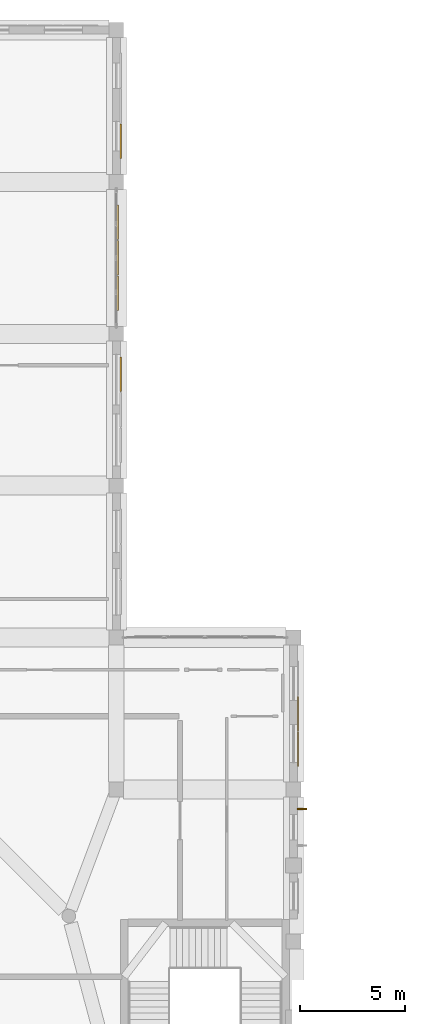
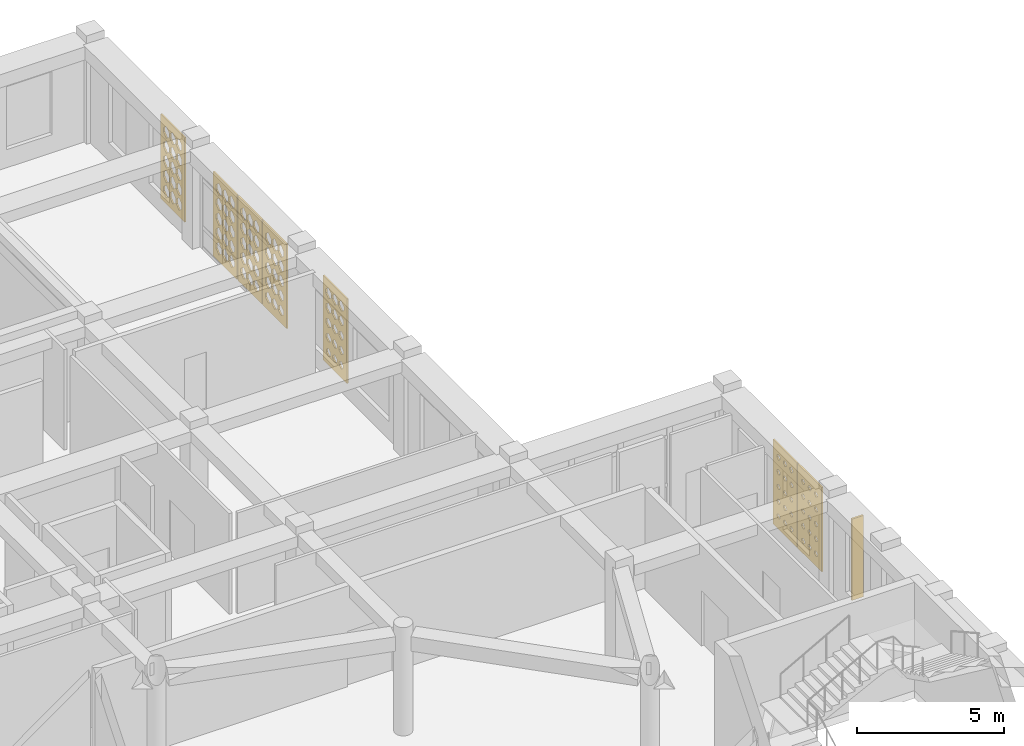
# One storey, part 75 of 79: 7 coverings, 1 shading device.
"""IFC4 building model written with IfcOpenShell, lengths in metres."""

import ifcopenshell
import ifcopenshell.guid

model = None  # the IFC model being written
_history = None  # IfcOwnerHistory: only IFC2X3 demands one
_inside = {}  # id of a spatial element -> (the spatial element, [elements in it])
_under = {}  # id of a project, library or spatial element -> (it, [spatial elements below it])
_declared = {}  # id of a project -> (the project, [libraries it declares])
_typed = {}  # id of a type object -> (the type object, [elements of that type])
_made_of = {}  # id of a material, layer set ... -> (it, [elements and type objects made of it])


def new_model(schema):
    """Start an empty IFC model of exactly this schema.

    Asked for "IFC4X3", IfcOpenShell would pick the latest addendum, in which some entities
    have other attributes; the version numbers below select the first issue.
    IFC2X3 requires an IfcOwnerHistory on every rooted entity: one is made here for all.
    """
    global model, _history
    if schema == "IFC4X3":
        model = ifcopenshell.file(schema_version=(4, 3, 0, 0))
    else:
        model = ifcopenshell.file(schema=schema)
    _inside.clear()
    _under.clear()
    _declared.clear()
    _typed.clear()
    _made_of.clear()
    _history = None
    if model.schema == "IFC2X3":
        org = make("IfcOrganization", Name="unknown")
        user = make(
            "IfcPersonAndOrganization",
            ThePerson=make("IfcPerson", FamilyName="unknown"),
            TheOrganization=org,
        )
        app = make(
            "IfcApplication",
            ApplicationDeveloper=org,
            Version="unknown",
            ApplicationFullName="unknown",
            ApplicationIdentifier="unknown",
        )
        _history = make(
            "IfcOwnerHistory",
            OwningUser=user,
            OwningApplication=app,
            ChangeAction="ADDED",
            CreationDate=0,
        )
    return model


def make(cls, **values):
    """One entity of the class cls with the attributes given. An attribute that is None is left unset."""
    return model.create_entity(
        cls, **{name: value for name, value in values.items() if value is not None}
    )


def rooted(cls, **values):
    """An entity with a GlobalId (a new one), such as an element, a storey or a relation."""
    return make(cls, GlobalId=ifcopenshell.guid.new(), OwnerHistory=_history, **values)


def si_unit(unit_type, name, prefix=None):
    """IfcSIUnit, for example si_unit("LENGTHUNIT", "METRE", prefix="MILLI")."""
    return make("IfcSIUnit", UnitType=unit_type, Prefix=prefix, Name=name)


def derived_unit(unit_type, elements):
    """IfcDerivedUnit: a product of units, each with its exponent."""
    return make(
        "IfcDerivedUnit",
        Elements=[
            make("IfcDerivedUnitElement", Unit=unit, Exponent=power)
            for unit, power in elements
        ],
        UnitType=unit_type,
    )


def assignment(units):
    """IfcUnitAssignment: the units of a project."""
    return None if units is None else make("IfcUnitAssignment", Units=units)


def point(xyz):
    """IfcCartesianPoint."""
    return None if xyz is None else make("IfcCartesianPoint", Coordinates=xyz)


def direction(xyz):
    """IfcDirection."""
    return None if xyz is None else make("IfcDirection", DirectionRatios=xyz)


def frame(location, z_axis=None, x_axis=None):
    """IfcAxis2Placement3D, a coordinate frame: its origin and axes. An axis left out is left unset."""
    return make(
        "IfcAxis2Placement3D",
        Location=point(location),
        Axis=direction(z_axis),
        RefDirection=direction(x_axis),
    )


def frame_2d(location, x_axis=None):
    """IfcAxis2Placement2D, a coordinate frame in the plane: its origin and x axis."""
    return make(
        "IfcAxis2Placement2D", Location=point(location), RefDirection=direction(x_axis)
    )


def origin():
    """The frame at (0, 0, 0) with its axes left unset."""
    return frame((0.0, 0.0, 0.0))


def origin_2d():
    """The frame at (0, 0) in the plane with its x axis left unset."""
    return frame_2d((0.0, 0.0))


def place(relative_to, where):
    """IfcLocalPlacement: puts the frame where relative to a parent placement (None: the world)."""
    return make(
        "IfcLocalPlacement", PlacementRelTo=relative_to, RelativePlacement=where
    )


def context(
    kind, dimensions, precision=None, world=None, true_north=None, identifier=None
):
    """IfcGeometricRepresentationContext, for example the 3D "Model" context."""
    return make(
        "IfcGeometricRepresentationContext",
        ContextIdentifier=identifier,
        ContextType=kind,
        CoordinateSpaceDimension=dimensions,
        Precision=precision,
        WorldCoordinateSystem=world,
        TrueNorth=true_north,
    )


def subcontext(parent, identifier, kind, view, scale=None):
    """IfcGeometricRepresentationSubContext, for example "Body" below "Model"."""
    return make(
        "IfcGeometricRepresentationSubContext",
        ContextIdentifier=identifier,
        ContextType=kind,
        ParentContext=parent,
        TargetScale=scale,
        TargetView=view,
    )


def project(units=None, contexts=None):
    """IfcProject with its units and contexts."""
    return rooted(
        "IfcProject",
        Name="project",
        RepresentationContexts=contexts,
        UnitsInContext=assignment(units),
    )


def spatial(cls, under=None, at=None, **own):
    """A site, building, storey or space (cls), placed at a placement, below another one or the project."""
    s = rooted(cls, ObjectPlacement=at, **own)
    if under is not None:
        _under.setdefault(under.id(), (under, []))[1].append(s)
    return s


def polyline(points):
    """IfcPolyline through the points."""
    return make("IfcPolyline", Points=[point(p) for p in points])


def profile(cls, at=None, kind="AREA", **sizes):
    """A parametric profile (cls). Its sizes go by their IFC names, for example OverallWidth=200.0."""
    return make(cls, ProfileType=kind, Position=at, **sizes)


def rectangle(**sizes):
    """IfcRectangleProfileDef."""
    return profile("IfcRectangleProfileDef", **sizes)


def outline(outer, holes=None, kind="AREA"):
    """IfcArbitraryClosedProfileDef: a profile drawn as a closed curve; with holes, ...WithVoids."""
    if holes is None:
        return make("IfcArbitraryClosedProfileDef", ProfileType=kind, OuterCurve=outer)
    return make(
        "IfcArbitraryProfileDefWithVoids",
        ProfileType=kind,
        OuterCurve=outer,
        InnerCurves=holes,
    )


def extrude(swept, where, along, depth):
    """IfcExtrudedAreaSolid: the profile swept, set in the frame where, extruded along a direction by depth."""
    return make(
        "IfcExtrudedAreaSolid",
        SweptArea=swept,
        Position=where,
        ExtrudedDirection=direction(along),
        Depth=depth,
    )


def shape(context_of_items, identifier, shape_type, items):
    """IfcShapeRepresentation: the items that make up one representation, for example the "Body"."""
    return make(
        "IfcShapeRepresentation",
        ContextOfItems=context_of_items,
        RepresentationIdentifier=identifier,
        RepresentationType=shape_type,
        Items=items,
    )


def material(Name=None, Category=None):
    """IfcMaterial."""
    return make("IfcMaterial", Name=Name, Category=Category)


def layer(
    of_material, thickness, ventilated=None, Name=None, Category=None, Priority=None
):
    """IfcMaterialLayer: one layer of a wall or slab, of a material (None: an air gap)."""
    return make(
        "IfcMaterialLayer",
        Material=of_material,
        LayerThickness=thickness,
        IsVentilated=ventilated,
        Name=Name,
        Category=Category,
        Priority=Priority,
    )


def layer_set(layers, Name=None):
    """IfcMaterialLayerSet."""
    return make("IfcMaterialLayerSet", MaterialLayers=layers, LayerSetName=Name)


def made_of(thing, what):
    """Note that an element or type object is made of a material, layer set ...; save() writes the relation."""
    if what is not None:
        _made_of.setdefault(what.id(), (what, []))[1].append(thing)
    return thing


def type_object(cls, material=None, **own):
    """A type object (cls), such as IfcWallType, which elements share."""
    return made_of(rooted(cls, **own), material)


def element(
    cls,
    number,
    at=None,
    inside=None,
    cuts=None,
    type_object=None,
    material=None,
    context=None,
    identifier="Body",
    shape_type=None,
    held_by="IfcProductDefinitionShape",
    body=None,
    shapes=None,
    **own,
):
    """One element of the class cls, such as IfcWall. Its Tag is "e" and its number.

    at: its placement. inside: the storey or other place that contains it. cuts: it is an
    opening in that element (IfcRelVoidsElement). A single representation is given by context,
    identifier, shape_type and body (its items); several are given by shapes. held_by: the class
    of the entity that holds the representations. save() writes the other relations.
    """
    e = rooted(cls, Tag="e%d" % number, ObjectPlacement=at, **own)
    if body is not None:
        shapes = [shape(context, identifier, shape_type, body)]
    if shapes is not None:
        e.Representation = make(held_by, Representations=shapes)
    if inside is not None:
        _inside.setdefault(inside.id(), (inside, []))[1].append(e)
    if cuts is not None:
        rooted(
            "IfcRelVoidsElement", RelatingBuildingElement=cuts, RelatedOpeningElement=e
        )
    if type_object is not None:
        _typed.setdefault(type_object.id(), (type_object, []))[1].append(e)
    return made_of(e, material)


def aggregate(whole, parts):
    """IfcRelAggregates: a whole, such as a stair, and the parts it consists of."""
    return rooted("IfcRelAggregates", RelatingObject=whole, RelatedObjects=parts)


def save(model, path):
    """Write the relations noted so far, then the file.

    IfcRelAggregates (storeys below a building ...), IfcRelContainedInSpatialStructure (elements
    in a storey), IfcRelDefinesByType, IfcRelAssociatesMaterial and IfcRelDeclares: one each for
    every whole, place, type object, material and project.
    """
    for whole, parts in _under.values():
        aggregate(whole, parts)
    for where, things in _inside.values():
        rooted(
            "IfcRelContainedInSpatialStructure",
            RelatedElements=things,
            RelatingStructure=where,
        )
    for kind, things in _typed.values():
        rooted("IfcRelDefinesByType", RelatedObjects=things, RelatingType=kind)
    for what, things in _made_of.values():
        rooted("IfcRelAssociatesMaterial", RelatedObjects=things, RelatingMaterial=what)
    for by, libraries in _declared.values():
        rooted("IfcRelDeclares", RelatingContext=by, RelatedDefinitions=libraries)
    model.write(path)


model = new_model("IFC4")

# Units and contexts
model_context = context("Model", 3, precision=1e-05, world=origin(), true_north=direction((0.0, 1.0)))
body_context = subcontext(model_context, "Body", "Model", "MODEL_VIEW")
ifc_project = project(units=[si_unit("LENGTHUNIT", "METRE"), si_unit("AREAUNIT", "SQUARE_METRE"), si_unit("VOLUMEUNIT", "CUBIC_METRE"), si_unit("PLANEANGLEUNIT", "RADIAN"), si_unit("MASSUNIT", "GRAM", prefix="KILO"), derived_unit("THERMALTRANSMITTANCEUNIT", [(si_unit("POWERUNIT", "WATT"), 1), (si_unit("LENGTHUNIT", "METRE"), -2), (si_unit("THERMODYNAMICTEMPERATUREUNIT", "KELVIN"), -1)])], contexts=[model_context])

# Site, building, storey
site_placement = place(None, origin())
site = spatial("IfcSite", under=ifc_project, at=site_placement, CompositionType="ELEMENT")
building_placement = place(site_placement, origin())
building = spatial("IfcBuilding", under=site, at=building_placement, Name="Veybourne Emporium", CompositionType="ELEMENT")
storey_placement = place(building_placement, frame((0.0, 0.0, 18.89990234375)))
storey = spatial("IfcBuildingStorey", under=building, at=storey_placement, Name="L04", CompositionType="ELEMENT", Elevation=18.89990234375)

# Shading device
ifc_material_1 = material(Name="Patinated Architectural Bronze", Category="bronze")
shading_device_type = type_object("IfcShadingDeviceType", Name="SolarFin_FIN-02", PredefinedType="USERDEFINED", material=ifc_material_1)
shading_device_placement = place(storey_placement, frame((101.214111328125, 63.8740234375, 0.125244140625), z_axis=(0.0, 0.0, 1.0), x_axis=(0.0, -1.0, 0.0)))
element("IfcShadingDevice", 1, at=shading_device_placement, inside=storey, type_object=shading_device_type, Name="L04 bronze brise-soleil fin FIN-02 (52A.1)", ObjectType="FIN", PredefinedType="USERDEFINED", context=body_context, shape_type="SweptSolid", body=[
    extrude(rectangle(XDim=0.074951171875, YDim=0.449951171875, at=origin_2d()), origin(), (0.0, 0.0, 1.0), 3.3798828125),
])

# Coverings
ifc_material_2 = material(Name="Warm-White Perforated Aluminium Screen Alloy", Category="aluminium")
ifc_layer_1 = layer(ifc_material_2, 0.06005859375)
ifc_layer_set_1 = layer_set([ifc_layer_1], Name="Warm-White Perforated Aluminium Screen Alloy")
covering_type_1 = type_object("IfcCoveringType", Name="WaveScreen_SCR-01", PredefinedType="CLADDING", material=ifc_layer_set_1)
covering_1_placement = place(storey_placement, frame((92.49560546875, 88.320068359375, 1.815185546875), z_axis=(-1.0, 0.0, 0.0), x_axis=(0.0, -1.0, 0.0)))
element("IfcCovering", 2, at=covering_1_placement, inside=storey, type_object=covering_type_1, Name="L04 wave-perforated aluminium screen SCR-01 (45C.3)", PredefinedType="CLADDING", context=body_context, shape_type="SweptSolid", body=[
    extrude(outline(polyline([(-0.81982421875, -1.7548828125), (0.81982421875, -1.7548828125), (0.81982421875, 1.7548828125), (-0.81982421875, 1.7548828125), (-0.81982421875, -1.7548828125)]), holes=[polyline([(-0.433349609375, -1.005126953125), (-0.2470703125, -1.147705078125), (-0.2470703125, -1.30810546875), (-0.433349609375, -1.45068359375), (-0.61962890625, -1.30810546875), (-0.61962890625, -1.147705078125), (-0.433349609375, -1.005126953125)]), polyline([(-0.433349609375, -0.37841796875), (-0.2470703125, -0.529296875), (-0.2470703125, -0.69873046875), (-0.433349609375, -0.849609375), (-0.61962890625, -0.69873046875), (-0.61962890625, -0.529296875), (-0.433349609375, -0.37841796875)]), polyline([(-0.433349609375, 0.246826171875), (-0.2470703125, 0.0888671875), (-0.2470703125, -0.0888671875), (-0.433349609375, -0.246826171875), (-0.61962890625, -0.0888671875), (-0.61962890625, 0.0888671875), (-0.433349609375, 0.246826171875)]), polyline([(-0.433349609375, 0.87060546875), (-0.2470703125, 0.706298828125), (-0.2470703125, 0.521484375), (-0.433349609375, 0.357421875), (-0.61962890625, 0.521484375), (-0.61962890625, 0.706298828125), (-0.433349609375, 0.87060546875)]), polyline([(-0.433349609375, 1.491943359375), (-0.2470703125, 1.322998046875), (-0.2470703125, 1.133056640625), (-0.433349609375, 0.964111328125), (-0.61962890625, 1.133056640625), (-0.61962890625, 1.322998046875), (-0.433349609375, 1.491943359375)]), polyline([(0.0, -1.01123046875), (0.186279296875, -1.14990234375), (0.186279296875, -1.305908203125), (0.0, -1.44482421875), (-0.186279296875, -1.305908203125), (-0.186279296875, -1.14990234375), (0.0, -1.01123046875)]), polyline([(0.0, -0.384033203125), (0.186279296875, -0.53125), (0.186279296875, -0.69677734375), (0.0, -0.843994140625), (-0.186279296875, -0.69677734375), (-0.186279296875, -0.53125), (0.0, -0.384033203125)]), polyline([(0.0, 0.241943359375), (0.186279296875, 0.087158203125), (0.186279296875, -0.087158203125), (0.0, -0.241943359375), (-0.186279296875, -0.087158203125), (-0.186279296875, 0.087158203125), (0.0, 0.241943359375)]), polyline([(0.0, 0.866455078125), (0.186279296875, 0.704833984375), (0.186279296875, 0.523193359375), (0.0, 0.361572265625), (-0.186279296875, 0.523193359375), (-0.186279296875, 0.704833984375), (0.0, 0.866455078125)]), polyline([(0.0, 1.4892578125), (0.186279296875, 1.322021484375), (0.186279296875, 1.1337890625), (0.0, 0.966796875), (-0.186279296875, 1.1337890625), (-0.186279296875, 1.322021484375), (0.0, 1.4892578125)]), polyline([(0.433349609375, -1.017333984375), (0.615478515625, -1.152099609375), (0.615478515625, -1.3037109375), (0.433349609375, -1.438720703125), (0.251220703125, -1.3037109375), (0.251220703125, -1.152099609375), (0.433349609375, -1.017333984375)]), polyline([(0.433349609375, -0.389892578125), (0.61962890625, -0.533203125), (0.61962890625, -0.694580078125), (0.433349609375, -0.838134765625), (0.2470703125, -0.694580078125), (0.2470703125, -0.533203125), (0.433349609375, -0.389892578125)]), polyline([(0.433349609375, 0.236572265625), (0.61962890625, 0.085205078125), (0.61962890625, -0.085205078125), (0.433349609375, -0.236572265625), (0.2470703125, -0.085205078125), (0.2470703125, 0.085205078125), (0.433349609375, 0.236572265625)]), polyline([(0.433349609375, 0.86181640625), (0.61962890625, 0.703125), (0.61962890625, 0.52490234375), (0.433349609375, 0.3662109375), (0.2470703125, 0.52490234375), (0.2470703125, 0.703125), (0.433349609375, 0.86181640625)]), polyline([(0.433349609375, 1.485595703125), (0.61962890625, 1.32080078125), (0.61962890625, 1.13525390625), (0.433349609375, 0.970458984375), (0.2470703125, 1.13525390625), (0.2470703125, 1.32080078125), (0.433349609375, 1.485595703125)])]), origin(), (0.0, 0.0, 1.0), 0.06005859375),
])
covering_2_placement = place(storey_placement, frame((101.048095703125, 66.719970703125, 1.815185546875), z_axis=(-1.0, 0.0, 0.0), x_axis=(0.0, -1.0, 0.0)))
element("IfcCovering", 3, at=covering_2_placement, inside=storey, type_object=covering_type_1, Name="L04 wave-perforated aluminium screen SCR-01 (53.3)", PredefinedType="CLADDING", context=body_context, shape_type="SweptSolid", body=[
    extrude(outline(polyline([(-0.81982421875, -1.7548828125), (0.81982421875, -1.7548828125), (0.81982421875, 1.7548828125), (-0.81982421875, 1.7548828125), (-0.81982421875, -1.7548828125)]), holes=[polyline([(-0.433349609375, -1.111572265625), (-0.327880859375, -1.18603515625), (-0.327880859375, -1.27001953125), (-0.433349609375, -1.344482421875), (-0.538818359375, -1.27001953125), (-0.538818359375, -1.18603515625), (-0.433349609375, -1.111572265625)]), polyline([(-0.433349609375, -0.501708984375), (-0.33154296875, -0.573486328125), (-0.33154296875, -0.654296875), (-0.433349609375, -0.726318359375), (-0.53515625, -0.654296875), (-0.53515625, -0.573486328125), (-0.433349609375, -0.501708984375)]), polyline([(-0.433349609375, 0.110107421875), (-0.333251953125, 0.03955078125), (-0.333251953125, -0.03955078125), (-0.433349609375, -0.110107421875), (-0.533447265625, -0.03955078125), (-0.533447265625, 0.03955078125), (-0.433349609375, 0.110107421875)]), polyline([(-0.433349609375, 0.724609375), (-0.3330078125, 0.65380859375), (-0.3330078125, 0.57421875), (-0.433349609375, 0.50341796875), (-0.53369140625, 0.57421875), (-0.53369140625, 0.65380859375), (-0.433349609375, 0.724609375)]), polyline([(-0.433349609375, 1.34130859375), (-0.33056640625, 1.268798828125), (-0.33056640625, 1.187255859375), (-0.433349609375, 1.114501953125), (-0.5361328125, 1.187255859375), (-0.5361328125, 1.268798828125), (-0.433349609375, 1.34130859375)]), polyline([(0.0, -1.108642578125), (0.107666015625, -1.18505859375), (0.107666015625, -1.27099609375), (0.0, -1.347412109375), (-0.107666015625, -1.27099609375), (-0.107666015625, -1.18505859375), (0.0, -1.108642578125)]), polyline([(0.0, -0.5), (0.103271484375, -0.572998046875), (0.103271484375, -0.655029296875), (0.0, -0.727783203125), (-0.103271484375, -0.655029296875), (-0.103271484375, -0.572998046875), (0.0, -0.5)]), polyline([(0.0, 0.11083984375), (0.1005859375, 0.039794921875), (0.1005859375, -0.039794921875), (0.0, -0.11083984375), (-0.1005859375, -0.039794921875), (-0.1005859375, 0.039794921875), (0.0, 0.11083984375)]), polyline([(0.0, 0.72412109375), (0.10009765625, 0.653564453125), (0.10009765625, 0.574462890625), (0.0, 0.50390625), (-0.10009765625, 0.574462890625), (-0.10009765625, 0.653564453125), (0.0, 0.72412109375)]), polyline([(0.0, 1.33984375), (0.1015625, 1.268310546875), (0.1015625, 1.187744140625), (0.0, 1.1162109375), (-0.1015625, 1.187744140625), (-0.1015625, 1.268310546875), (0.0, 1.33984375)]), polyline([(0.433349609375, -1.10546875), (0.54345703125, -1.183837890625), (0.54345703125, -1.272216796875), (0.433349609375, -1.3505859375), (0.322998046875, -1.272216796875), (0.322998046875, -1.183837890625), (0.433349609375, -1.10546875)]), polyline([(0.433349609375, -0.498046875), (0.538330078125, -0.572265625), (0.538330078125, -0.65576171875), (0.433349609375, -0.72998046875), (0.328369140625, -0.65576171875), (0.328369140625, -0.572265625), (0.433349609375, -0.498046875)]), polyline([(0.433349609375, 0.11181640625), (0.534912109375, 0.040283203125), (0.534912109375, -0.040283203125), (0.433349609375, -0.11181640625), (0.331787109375, -0.040283203125), (0.331787109375, 0.040283203125), (0.433349609375, 0.11181640625)]), polyline([(0.433349609375, 0.72412109375), (0.533447265625, 0.653564453125), (0.533447265625, 0.574462890625), (0.433349609375, 0.50390625), (0.333251953125, 0.574462890625), (0.333251953125, 0.653564453125), (0.433349609375, 0.72412109375)]), polyline([(0.433349609375, 1.338623046875), (0.533935546875, 1.267822265625), (0.533935546875, 1.18798828125), (0.433349609375, 1.1171875), (0.332763671875, 1.18798828125), (0.332763671875, 1.267822265625), (0.433349609375, 1.338623046875)])]), origin(), (0.0, 0.0, 1.0), 0.06005859375),
])
ifc_layer_2 = layer(ifc_material_2, 0.06005859375)
ifc_layer_set_2 = layer_set([ifc_layer_2], Name="Warm-White Perforated Aluminium Screen Alloy")
covering_type_2 = type_object("IfcCoveringType", Name="WaveScreen_SCR-02", PredefinedType="CLADDING", material=ifc_layer_set_2)
covering_3_placement = place(storey_placement, frame((92.64794921875, 84.47998046875, 1.815185546875), z_axis=(-1.0, 0.0, 0.0), x_axis=(0.0, -1.0, 0.0)))
element("IfcCovering", 4, at=covering_3_placement, inside=storey, type_object=covering_type_2, Name="L04 wave-perforated aluminium screen SCR-02 (44.1)", PredefinedType="CLADDING", context=body_context, shape_type="SweptSolid", body=[
    extrude(outline(polyline([(-0.81982421875, -1.7548828125), (0.81982421875, -1.7548828125), (0.81982421875, 1.7548828125), (-0.81982421875, 1.7548828125), (-0.81982421875, -1.7548828125)]), holes=[polyline([(-0.433349609375, -1.058837890625), (-0.284912109375, -1.1669921875), (-0.284912109375, -1.288818359375), (-0.433349609375, -1.397216796875), (-0.581787109375, -1.288818359375), (-0.581787109375, -1.1669921875), (-0.433349609375, -1.058837890625)]), polyline([(-0.433349609375, -0.430908203125), (-0.273681640625, -0.548095703125), (-0.273681640625, -0.679931640625), (-0.433349609375, -0.797119140625), (-0.593017578125, -0.679931640625), (-0.593017578125, -0.548095703125), (-0.433349609375, -0.430908203125)]), polyline([(-0.433349609375, 0.197265625), (-0.261962890625, 0.071044921875), (-0.261962890625, -0.071044921875), (-0.433349609375, -0.197265625), (-0.604736328125, -0.071044921875), (-0.604736328125, 0.071044921875), (-0.433349609375, 0.197265625)]), polyline([(-0.433349609375, 0.8251953125), (-0.25048828125, 0.68994140625), (-0.25048828125, 0.5380859375), (-0.433349609375, 0.40283203125), (-0.6162109375, 0.5380859375), (-0.6162109375, 0.68994140625), (-0.433349609375, 0.8251953125)]), polyline([(-0.433349609375, 1.45263671875), (-0.2470703125, 1.308837890625), (-0.2470703125, 1.147216796875), (-0.433349609375, 1.00341796875), (-0.61962890625, 1.147216796875), (-0.61962890625, 1.308837890625), (-0.433349609375, 1.45263671875)]), polyline([(0.0, -1.06494140625), (0.143310546875, -1.169189453125), (0.143310546875, -1.28662109375), (0.0, -1.39111328125), (-0.143310546875, -1.28662109375), (-0.143310546875, -1.169189453125), (0.0, -1.06494140625)]), polyline([(0.0, -0.437255859375), (0.154541015625, -0.55029296875), (0.154541015625, -0.677490234375), (0.0, -0.790771484375), (-0.154541015625, -0.677490234375), (-0.154541015625, -0.55029296875), (0.0, -0.437255859375)]), polyline([(0.0, 0.190673828125), (0.166015625, 0.068603515625), (0.166015625, -0.068603515625), (0.0, -0.190673828125), (-0.166015625, -0.068603515625), (-0.166015625, 0.068603515625), (0.0, 0.190673828125)]), polyline([(0.0, 0.81884765625), (0.177490234375, 0.687744140625), (0.177490234375, 0.540283203125), (0.0, 0.4091796875), (-0.177490234375, 0.540283203125), (-0.177490234375, 0.687744140625), (0.0, 0.81884765625)]), polyline([(0.0, 1.44677734375), (0.186279296875, 1.306640625), (0.186279296875, 1.1494140625), (0.0, 1.00927734375), (-0.186279296875, 1.1494140625), (-0.186279296875, 1.306640625), (0.0, 1.44677734375)]), polyline([(0.433349609375, -1.07080078125), (0.572021484375, -1.17138671875), (0.572021484375, -1.28466796875), (0.433349609375, -1.385009765625), (0.294921875, -1.28466796875), (0.294921875, -1.17138671875), (0.433349609375, -1.07080078125)]), polyline([(0.433349609375, -0.443603515625), (0.582763671875, -0.552734375), (0.582763671875, -0.67529296875), (0.433349609375, -0.784423828125), (0.283935546875, -0.67529296875), (0.283935546875, -0.552734375), (0.433349609375, -0.443603515625)]), polyline([(0.433349609375, 0.184326171875), (0.593994140625, 0.06640625), (0.593994140625, -0.06640625), (0.433349609375, -0.184326171875), (0.2724609375, -0.06640625), (0.2724609375, 0.06640625), (0.433349609375, 0.184326171875)]), polyline([(0.433349609375, 0.8125), (0.605712890625, 0.685546875), (0.605712890625, 0.54248046875), (0.433349609375, 0.41552734375), (0.260986328125, 0.54248046875), (0.260986328125, 0.685546875), (0.433349609375, 0.8125)]), polyline([(0.433349609375, 1.4404296875), (0.6171875, 1.304443359375), (0.6171875, 1.151611328125), (0.433349609375, 1.015380859375), (0.24951171875, 1.151611328125), (0.24951171875, 1.304443359375), (0.433349609375, 1.4404296875)])]), origin(), (0.0, 0.0, 1.0), 0.06005859375),
])
covering_4_placement = place(storey_placement, frame((92.64794921875, 95.52001953125, 1.815185546875), z_axis=(-1.0, 0.0, 0.0), x_axis=(0.0, -1.0, 0.0)))
element("IfcCovering", 5, at=covering_4_placement, inside=storey, type_object=covering_type_2, Name="L04 wave-perforated aluminium screen SCR-02 (46.3)", PredefinedType="CLADDING", context=body_context, shape_type="SweptSolid", body=[
    extrude(outline(polyline([(-0.81982421875, -1.7548828125), (0.81982421875, -1.7548828125), (0.81982421875, 1.7548828125), (-0.81982421875, 1.7548828125), (-0.81982421875, -1.7548828125)]), holes=[polyline([(-0.433349609375, -0.964111328125), (-0.2470703125, -1.133056640625), (-0.2470703125, -1.322998046875), (-0.433349609375, -1.491943359375), (-0.61962890625, -1.322998046875), (-0.61962890625, -1.133056640625), (-0.433349609375, -0.964111328125)]), polyline([(-0.433349609375, -0.35009765625), (-0.2470703125, -0.51904296875), (-0.2470703125, -0.708984375), (-0.433349609375, -0.8779296875), (-0.61962890625, -0.708984375), (-0.61962890625, -0.51904296875), (-0.433349609375, -0.35009765625)]), polyline([(-0.433349609375, 0.263916015625), (-0.2470703125, 0.094970703125), (-0.2470703125, -0.094970703125), (-0.433349609375, -0.263916015625), (-0.61962890625, -0.094970703125), (-0.61962890625, 0.094970703125), (-0.433349609375, 0.263916015625)]), polyline([(-0.433349609375, 0.872314453125), (-0.2470703125, 0.70703125), (-0.2470703125, 0.52099609375), (-0.433349609375, 0.355712890625), (-0.61962890625, 0.52099609375), (-0.61962890625, 0.70703125), (-0.433349609375, 0.872314453125)]), polyline([(-0.433349609375, 1.47705078125), (-0.2470703125, 1.317626953125), (-0.2470703125, 1.138427734375), (-0.433349609375, 0.97900390625), (-0.61962890625, 1.138427734375), (-0.61962890625, 1.317626953125), (-0.433349609375, 1.47705078125)]), polyline([(0.0, -0.964111328125), (0.186279296875, -1.133056640625), (0.186279296875, -1.322998046875), (0.0, -1.491943359375), (-0.186279296875, -1.322998046875), (-0.186279296875, -1.133056640625), (0.0, -0.964111328125)]), polyline([(0.0, -0.35009765625), (0.186279296875, -0.51904296875), (0.186279296875, -0.708984375), (0.0, -0.8779296875), (-0.186279296875, -0.708984375), (-0.186279296875, -0.51904296875), (0.0, -0.35009765625)]), polyline([(0.0, 0.263916015625), (0.186279296875, 0.094970703125), (0.186279296875, -0.094970703125), (0.0, -0.263916015625), (-0.186279296875, -0.094970703125), (-0.186279296875, 0.094970703125), (0.0, 0.263916015625)]), polyline([(0.0, 0.876220703125), (0.186279296875, 0.70849609375), (0.186279296875, 0.51953125), (0.0, 0.351806640625), (-0.186279296875, 0.51953125), (-0.186279296875, 0.70849609375), (0.0, 0.876220703125)]), polyline([(0.0, 1.4814453125), (0.186279296875, 1.3193359375), (0.186279296875, 1.13671875), (0.0, 0.974609375), (-0.186279296875, 1.13671875), (-0.186279296875, 1.3193359375), (0.0, 1.4814453125)]), polyline([(0.433349609375, -0.964111328125), (0.61962890625, -1.133056640625), (0.61962890625, -1.322998046875), (0.433349609375, -1.491943359375), (0.2470703125, -1.322998046875), (0.2470703125, -1.133056640625), (0.433349609375, -0.964111328125)]), polyline([(0.433349609375, -0.35009765625), (0.61962890625, -0.51904296875), (0.61962890625, -0.708984375), (0.433349609375, -0.8779296875), (0.2470703125, -0.708984375), (0.2470703125, -0.51904296875), (0.433349609375, -0.35009765625)]), polyline([(0.433349609375, 0.263916015625), (0.61962890625, 0.094970703125), (0.61962890625, -0.094970703125), (0.433349609375, -0.263916015625), (0.2470703125, -0.094970703125), (0.2470703125, 0.094970703125), (0.433349609375, 0.263916015625)]), polyline([(0.433349609375, 0.8779296875), (0.61962890625, 0.708984375), (0.61962890625, 0.51904296875), (0.433349609375, 0.35009765625), (0.2470703125, 0.51904296875), (0.2470703125, 0.708984375), (0.433349609375, 0.8779296875)]), polyline([(0.433349609375, 1.485595703125), (0.61962890625, 1.32080078125), (0.61962890625, 1.13525390625), (0.433349609375, 0.970458984375), (0.2470703125, 1.13525390625), (0.2470703125, 1.32080078125), (0.433349609375, 1.485595703125)])]), origin(), (0.0, 0.0, 1.0), 0.06005859375),
])
ifc_layer_3 = layer(ifc_material_2, 0.06005859375)
ifc_layer_set_3 = layer_set([ifc_layer_3], Name="Warm-White Perforated Aluminium Screen Alloy")
covering_type_3 = type_object("IfcCoveringType", Name="WaveScreen_SCR-03", PredefinedType="CLADDING", material=ifc_layer_set_3)
covering_5_placement = place(storey_placement, frame((92.49560546875, 91.679931640625, 1.815185546875), z_axis=(-1.0, 0.0, 0.0), x_axis=(0.0, -1.0, 0.0)))
element("IfcCovering", 6, at=covering_5_placement, inside=storey, type_object=covering_type_3, Name="L04 wave-perforated aluminium screen SCR-03 (45C.1)", PredefinedType="CLADDING", context=body_context, shape_type="SweptSolid", body=[
    extrude(outline(polyline([(-0.81982421875, -1.7548828125), (0.81982421875, -1.7548828125), (0.81982421875, 1.7548828125), (-0.81982421875, 1.7548828125), (-0.81982421875, -1.7548828125)]), holes=[polyline([(-0.433349609375, -0.966796875), (-0.2470703125, -1.134033203125), (-0.2470703125, -1.322021484375), (-0.433349609375, -1.489013671875), (-0.61962890625, -1.322021484375), (-0.61962890625, -1.134033203125), (-0.433349609375, -0.966796875)]), polyline([(-0.433349609375, -0.35009765625), (-0.2470703125, -0.51904296875), (-0.2470703125, -0.708984375), (-0.433349609375, -0.8779296875), (-0.61962890625, -0.708984375), (-0.61962890625, -0.51904296875), (-0.433349609375, -0.35009765625)]), polyline([(-0.433349609375, 0.263916015625), (-0.2470703125, 0.094970703125), (-0.2470703125, -0.094970703125), (-0.433349609375, -0.263916015625), (-0.61962890625, -0.094970703125), (-0.61962890625, 0.094970703125), (-0.433349609375, 0.263916015625)]), polyline([(-0.433349609375, 0.8779296875), (-0.2470703125, 0.708984375), (-0.2470703125, 0.51904296875), (-0.433349609375, 0.35009765625), (-0.61962890625, 0.51904296875), (-0.61962890625, 0.708984375), (-0.433349609375, 0.8779296875)]), polyline([(-0.433349609375, 1.491943359375), (-0.2470703125, 1.322998046875), (-0.2470703125, 1.133056640625), (-0.433349609375, 0.964111328125), (-0.61962890625, 1.133056640625), (-0.61962890625, 1.322998046875), (-0.433349609375, 1.491943359375)]), polyline([(0.0, -0.970703125), (0.186279296875, -1.135498046875), (0.186279296875, -1.320556640625), (0.0, -1.4853515625), (-0.186279296875, -1.320556640625), (-0.186279296875, -1.135498046875), (0.0, -0.970703125)]), polyline([(0.0, -0.35009765625), (0.186279296875, -0.51904296875), (0.186279296875, -0.708984375), (0.0, -0.8779296875), (-0.186279296875, -0.708984375), (-0.186279296875, -0.51904296875), (0.0, -0.35009765625)]), polyline([(0.0, 0.263916015625), (0.186279296875, 0.094970703125), (0.186279296875, -0.094970703125), (0.0, -0.263916015625), (-0.186279296875, -0.094970703125), (-0.186279296875, 0.094970703125), (0.0, 0.263916015625)]), polyline([(0.0, 0.8779296875), (0.186279296875, 0.708984375), (0.186279296875, 0.51904296875), (0.0, 0.35009765625), (-0.186279296875, 0.51904296875), (-0.186279296875, 0.708984375), (0.0, 0.8779296875)]), polyline([(0.0, 1.491943359375), (0.186279296875, 1.322998046875), (0.186279296875, 1.133056640625), (0.0, 0.964111328125), (-0.186279296875, 1.133056640625), (-0.186279296875, 1.322998046875), (0.0, 1.491943359375)]), polyline([(0.433349609375, -0.974853515625), (0.61962890625, -1.136962890625), (0.61962890625, -1.319091796875), (0.433349609375, -1.481201171875), (0.2470703125, -1.319091796875), (0.2470703125, -1.136962890625), (0.433349609375, -0.974853515625)]), polyline([(0.433349609375, -0.352294921875), (0.61962890625, -0.519775390625), (0.61962890625, -0.708251953125), (0.433349609375, -0.875732421875), (0.2470703125, -0.708251953125), (0.2470703125, -0.519775390625), (0.433349609375, -0.352294921875)]), polyline([(0.433349609375, 0.263916015625), (0.61962890625, 0.094970703125), (0.61962890625, -0.094970703125), (0.433349609375, -0.263916015625), (0.2470703125, -0.094970703125), (0.2470703125, 0.094970703125), (0.433349609375, 0.263916015625)]), polyline([(0.433349609375, 0.8779296875), (0.61962890625, 0.708984375), (0.61962890625, 0.51904296875), (0.433349609375, 0.35009765625), (0.2470703125, 0.51904296875), (0.2470703125, 0.708984375), (0.433349609375, 0.8779296875)]), polyline([(0.433349609375, 1.491943359375), (0.61962890625, 1.322998046875), (0.61962890625, 1.133056640625), (0.433349609375, 0.964111328125), (0.2470703125, 1.133056640625), (0.2470703125, 1.322998046875), (0.433349609375, 1.491943359375)])]), origin(), (0.0, 0.0, 1.0), 0.06005859375),
])
ifc_layer_4 = layer(ifc_material_2, 0.06005859375)
ifc_layer_set_4 = layer_set([ifc_layer_4], Name="Warm-White Perforated Aluminium Screen Alloy")
covering_type_4 = type_object("IfcCoveringType", Name="WaveScreen_SCR-04", PredefinedType="CLADDING", material=ifc_layer_set_4)
covering_6_placement = place(storey_placement, frame((92.49560546875, 90.0, 1.815185546875), z_axis=(-1.0, 0.0, 0.0), x_axis=(0.0, -1.0, 0.0)))
element("IfcCovering", 7, at=covering_6_placement, inside=storey, type_object=covering_type_4, Name="L04 wave-perforated aluminium screen SCR-04 (45C.2)", PredefinedType="CLADDING", context=body_context, shape_type="SweptSolid", body=[
    extrude(outline(polyline([(-0.81982421875, -1.7548828125), (0.81982421875, -1.7548828125), (0.81982421875, 1.7548828125), (-0.81982421875, 1.7548828125), (-0.81982421875, -1.7548828125)]), holes=[polyline([(-0.433349609375, -0.983642578125), (-0.2470703125, -1.139892578125), (-0.2470703125, -1.31591796875), (-0.433349609375, -1.472412109375), (-0.61962890625, -1.31591796875), (-0.61962890625, -1.139892578125), (-0.433349609375, -0.983642578125)]), polyline([(-0.433349609375, -0.359619140625), (-0.2470703125, -0.5224609375), (-0.2470703125, -0.70556640625), (-0.433349609375, -0.868408203125), (-0.61962890625, -0.70556640625), (-0.61962890625, -0.5224609375), (-0.433349609375, -0.359619140625)]), polyline([(-0.433349609375, 0.262939453125), (-0.2470703125, 0.0947265625), (-0.2470703125, -0.0947265625), (-0.433349609375, -0.262939453125), (-0.61962890625, -0.0947265625), (-0.61962890625, 0.0947265625), (-0.433349609375, 0.262939453125)]), polyline([(-0.433349609375, 0.8779296875), (-0.2470703125, 0.708984375), (-0.2470703125, 0.51904296875), (-0.433349609375, 0.35009765625), (-0.61962890625, 0.51904296875), (-0.61962890625, 0.708984375), (-0.433349609375, 0.8779296875)]), polyline([(-0.433349609375, 1.491943359375), (-0.2470703125, 1.322998046875), (-0.2470703125, 1.133056640625), (-0.433349609375, 0.964111328125), (-0.61962890625, 1.133056640625), (-0.61962890625, 1.322998046875), (-0.433349609375, 1.491943359375)]), polyline([(0.0, -0.98876953125), (0.186279296875, -1.141845703125), (0.186279296875, -1.314208984375), (0.0, -1.46728515625), (-0.186279296875, -1.314208984375), (-0.186279296875, -1.141845703125), (0.0, -0.98876953125)]), polyline([(0.0, -0.364013671875), (0.186279296875, -0.52392578125), (0.186279296875, -0.7041015625), (0.0, -0.864013671875), (-0.186279296875, -0.7041015625), (-0.186279296875, -0.52392578125), (0.0, -0.364013671875)]), polyline([(0.0, 0.259521484375), (0.186279296875, 0.093505859375), (0.186279296875, -0.093505859375), (0.0, -0.259521484375), (-0.186279296875, -0.093505859375), (-0.186279296875, 0.093505859375), (0.0, 0.259521484375)]), polyline([(0.0, 0.8779296875), (0.186279296875, 0.708984375), (0.186279296875, 0.51904296875), (0.0, 0.35009765625), (-0.186279296875, 0.51904296875), (-0.186279296875, 0.708984375), (0.0, 0.8779296875)]), polyline([(0.0, 1.491943359375), (0.186279296875, 1.322998046875), (0.186279296875, 1.133056640625), (0.0, 0.964111328125), (-0.186279296875, 1.133056640625), (-0.186279296875, 1.322998046875), (0.0, 1.491943359375)]), polyline([(0.433349609375, -0.994384765625), (0.61962890625, -1.143798828125), (0.61962890625, -1.31201171875), (0.433349609375, -1.461669921875), (0.2470703125, -1.31201171875), (0.2470703125, -1.143798828125), (0.433349609375, -0.994384765625)]), polyline([(0.433349609375, -0.36865234375), (0.61962890625, -0.525634765625), (0.61962890625, -0.702392578125), (0.433349609375, -0.859375), (0.2470703125, -0.702392578125), (0.2470703125, -0.525634765625), (0.433349609375, -0.36865234375)]), polyline([(0.433349609375, 0.25537109375), (0.61962890625, 0.091796875), (0.61962890625, -0.091796875), (0.433349609375, -0.25537109375), (0.2470703125, -0.091796875), (0.2470703125, 0.091796875), (0.433349609375, 0.25537109375)]), polyline([(0.433349609375, 0.877685546875), (0.61962890625, 0.708984375), (0.61962890625, 0.51904296875), (0.433349609375, 0.350341796875), (0.2470703125, 0.51904296875), (0.2470703125, 0.708984375), (0.433349609375, 0.877685546875)]), polyline([(0.433349609375, 1.491943359375), (0.61962890625, 1.322998046875), (0.61962890625, 1.133056640625), (0.433349609375, 0.964111328125), (0.2470703125, 1.133056640625), (0.2470703125, 1.322998046875), (0.433349609375, 1.491943359375)])]), origin(), (0.0, 0.0, 1.0), 0.06005859375),
])
covering_7_placement = place(storey_placement, frame((101.048095703125, 68.39990234375, 1.815185546875), z_axis=(-1.0, 0.0, 0.0), x_axis=(0.0, -1.0, 0.0)))
element("IfcCovering", 8, at=covering_7_placement, inside=storey, type_object=covering_type_4, Name="L04 wave-perforated aluminium screen SCR-04 (53.2)", PredefinedType="CLADDING", context=body_context, shape_type="SweptSolid", body=[
    extrude(outline(polyline([(-0.81982421875, -1.7548828125), (0.81982421875, -1.7548828125), (0.81982421875, 1.7548828125), (-0.81982421875, 1.7548828125), (-0.81982421875, -1.7548828125)]), holes=[polyline([(-0.433349609375, -1.11767578125), (-0.3330078125, -1.188232421875), (-0.3330078125, -1.267578125), (-0.433349609375, -1.33837890625), (-0.53369140625, -1.267578125), (-0.53369140625, -1.188232421875), (-0.433349609375, -1.11767578125)]), polyline([(-0.433349609375, -0.50390625), (-0.333251953125, -0.57421875), (-0.333251953125, -0.65380859375), (-0.433349609375, -0.72412109375), (-0.533447265625, -0.65380859375), (-0.533447265625, -0.57421875), (-0.433349609375, -0.50390625)]), polyline([(-0.433349609375, 0.112548828125), (-0.331298828125, 0.04052734375), (-0.331298828125, -0.04052734375), (-0.433349609375, -0.112548828125), (-0.535400390625, -0.04052734375), (-0.535400390625, 0.04052734375), (-0.433349609375, 0.112548828125)]), polyline([(-0.433349609375, 0.731201171875), (-0.327392578125, 0.656005859375), (-0.327392578125, 0.572021484375), (-0.433349609375, 0.496826171875), (-0.5390625, 0.572021484375), (-0.5390625, 0.656005859375), (-0.433349609375, 0.731201171875)]), polyline([(-0.433349609375, 1.351806640625), (-0.322021484375, 1.272705078125), (-0.322021484375, 1.183349609375), (-0.433349609375, 1.10400390625), (-0.544677734375, 1.183349609375), (-0.544677734375, 1.272705078125), (-0.433349609375, 1.351806640625)]), polyline([(0.0, -1.11669921875), (0.10107421875, -1.18798828125), (0.10107421875, -1.26806640625), (0.0, -1.33935546875), (-0.10107421875, -1.26806640625), (-0.10107421875, -1.18798828125), (0.0, -1.11669921875)]), polyline([(0.0, -0.50390625), (0.10009765625, -0.574462890625), (0.10009765625, -0.653564453125), (0.0, -0.72412109375), (-0.10009765625, -0.653564453125), (-0.10009765625, -0.574462890625), (0.0, -0.50390625)]), polyline([(0.0, 0.111083984375), (0.100830078125, 0.0400390625), (0.100830078125, -0.0400390625), (0.0, -0.111083984375), (-0.100830078125, -0.0400390625), (-0.100830078125, 0.0400390625), (0.0, 0.111083984375)]), polyline([(0.0, 0.728759765625), (0.103759765625, 0.6552734375), (0.103759765625, 0.57275390625), (0.0, 0.499267578125), (-0.103759765625, 0.57275390625), (-0.103759765625, 0.6552734375), (0.0, 0.728759765625)]), polyline([(0.0, 1.348388671875), (0.108642578125, 1.271484375), (0.108642578125, 1.1845703125), (0.0, 1.107421875), (-0.108642578125, 1.1845703125), (-0.108642578125, 1.271484375), (0.0, 1.348388671875)]), polyline([(0.433349609375, -1.115234375), (0.535400390625, -1.1875), (0.535400390625, -1.2685546875), (0.433349609375, -1.3408203125), (0.331298828125, -1.2685546875), (0.331298828125, -1.1875), (0.433349609375, -1.115234375)]), polyline([(0.433349609375, -0.503662109375), (0.53369140625, -0.57421875), (0.53369140625, -0.65380859375), (0.433349609375, -0.724365234375), (0.3330078125, -0.65380859375), (0.3330078125, -0.57421875), (0.433349609375, -0.503662109375)]), polyline([(0.433349609375, 0.1103515625), (0.53369140625, 0.039794921875), (0.53369140625, -0.039794921875), (0.433349609375, -0.1103515625), (0.3330078125, -0.039794921875), (0.3330078125, 0.039794921875), (0.433349609375, 0.1103515625)]), polyline([(0.433349609375, 0.726806640625), (0.53564453125, 0.654541015625), (0.53564453125, 0.573486328125), (0.433349609375, 0.501220703125), (0.3310546875, 0.573486328125), (0.3310546875, 0.654541015625), (0.433349609375, 0.726806640625)]), polyline([(0.433349609375, 1.345703125), (0.53955078125, 1.270263671875), (0.53955078125, 1.185791015625), (0.433349609375, 1.1103515625), (0.3271484375, 1.185791015625), (0.3271484375, 1.270263671875), (0.433349609375, 1.345703125)])]), origin(), (0.0, 0.0, 1.0), 0.06005859375),
])

save(model, "model.ifc")
